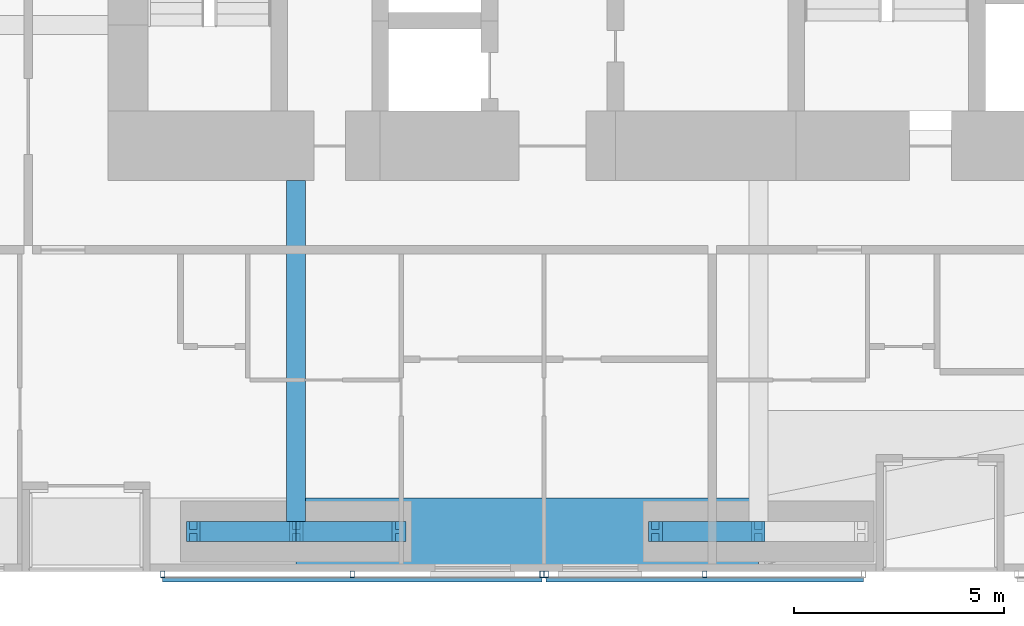
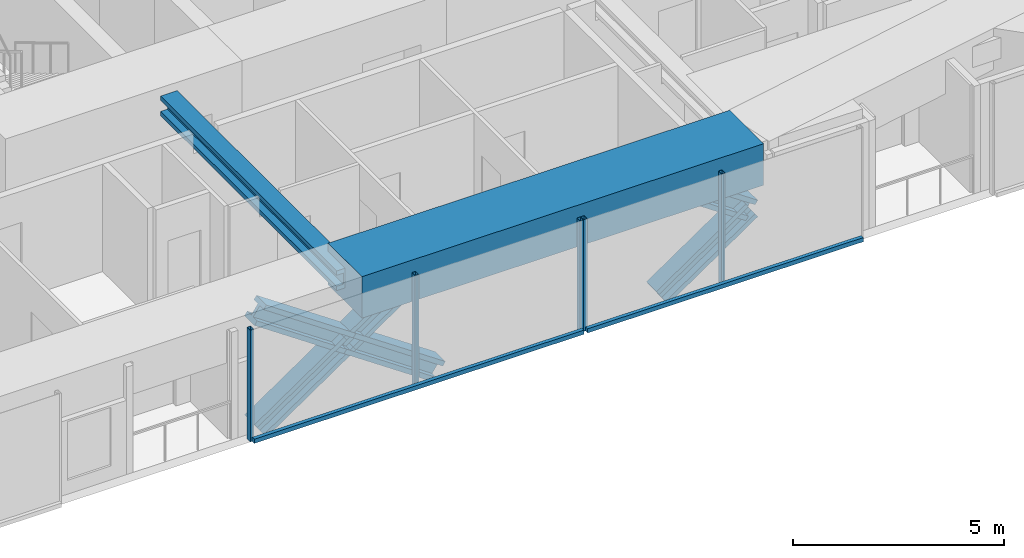
# One storey, part 4 of 22: 13 members, 2 beams, 2 elements without a shape of their own.
"""IFC4 building model written with IfcOpenShell, lengths in metres."""

from ifc_helpers import new_model, si_unit, direction, frame, origin, origin_2d, place, context, subcontext, project, spatial, rectangle, hollow_rectangle, i_section, extrude, material, material_profile, profile_set, type_object, element, aggregate, save


model = new_model("IFC4")

# Units and contexts
model_context = context("Model", 3, precision=1e-05, world=origin(), true_north=direction((0.0, 1.0)))
body_context = subcontext(model_context, "Body", "Model", "MODEL_VIEW")
ifc_project = project(units=[si_unit("LENGTHUNIT", "METRE"), si_unit("AREAUNIT", "SQUARE_METRE"), si_unit("VOLUMEUNIT", "CUBIC_METRE"), si_unit("PLANEANGLEUNIT", "RADIAN"), si_unit("MASSUNIT", "GRAM", prefix="KILO")], contexts=[model_context])

# Site, building, storey
site_placement = place(None, origin())
site = spatial("IfcSite", under=ifc_project, at=site_placement, CompositionType="ELEMENT")
building_placement = place(site_placement, origin())
building = spatial("IfcBuilding", under=site, at=building_placement, Name="Jalousie Tower", CompositionType="ELEMENT")
storey_placement = place(building_placement, frame((0.0, 0.0, 64.550048828125)))
storey = spatial("IfcBuildingStorey", under=building, at=storey_placement, Name="L17", CompositionType="ELEMENT", Elevation=64.550048828125)

# Beam
ifc_material_1 = material(Name="Steel ASTM A992 Grade 50", Category="steel")
ifc_material_profile_1 = material_profile(ifc_material_1, i_section(OverallWidth=0.45458984375, OverallDepth=0.569091796875, WebThickness=0.077880859375, FlangeThickness=0.124755859375, at=origin_2d()), Name="W14X730")
ifc_profile_set_1 = profile_set([ifc_material_profile_1], Name="Steel ASTM A992 Grade 50")
beam_type_1 = type_object("IfcBeamType", Name="LEAN COLLECTOR W14X730", PredefinedType="BEAM", material=ifc_profile_set_1)
beam_1_placement = place(storey_placement, frame((24.0, 0.949951171875, 2.825439453125), z_axis=(0.0, 1.0, 0.0), x_axis=(-1.0, 0.0, 0.0)))
element("IfcBeam", 1, at=beam_1_placement, inside=storey, type_object=beam_type_1, Name="Lean collector under L18", PredefinedType="BEAM", context=body_context, shape_type="SweptSolid", body=[
    extrude(i_section(OverallWidth=0.45458984375, OverallDepth=0.569091796875, WebThickness=0.077880859375, FlangeThickness=0.124755859375, at=origin_2d()), origin(), (0.0, 0.0, 1.0), 8.35009765625),
])

# Members
ifc_material_2 = material(Name="Steel ASTM A992 Grade 50", Category="steel")
ifc_material_profile_2 = material_profile(ifc_material_2, i_section(OverallWidth=0.472412109375, OverallDepth=0.5791015625, WebThickness=0.094970703125, FlangeThickness=0.1298828125, at=origin_2d()), Name="W14X808")
ifc_profile_set_2 = profile_set([ifc_material_profile_2], Name="Steel ASTM A992 Grade 50")
member_type_1 = type_object("IfcMemberType", Name="PERIMETER BRACE W14X808", PredefinedType="BRACE", material=ifc_profile_set_2)
for number, where, z_axis, x_axis, name in (
    (2, (21.550048828125, 0.949951171875, -0.60009765625), (0.825500916831, 0.0, 0.564400776321), (0.0, 1.0, 0.0), "Perimeter brace 03 L17 part 1"),
    (3, (24.0, 0.949951171875, 1.074951171875), (0.825500916831, 0.0, 0.564400776321), (0.0, 1.0, 0.0), "Perimeter brace 03 L17 part 2"),
    (4, (26.449951171875, 0.949951171875, -0.60009765625), (-0.825500916831, 0.0, 0.564400776321), (0.0, -1.0, 0.0), "Perimeter brace 03 L17 part 3"),
    (5, (24.0, 0.949951171875, 1.074951171875), (-0.825500916831, 0.0, 0.564400776321), (0.0, -1.0, 0.0), "Perimeter brace 03 L17 part 4"),
    (6, (32.550048828125, 0.949951171875, -0.60009765625), (0.825500916831, 0.0, 0.564400776321), (0.0, 1.0, 0.0), "Perimeter brace 04 L17 part 1"),
    (7, (35.0, 0.949951171875, 1.074951171875), (-0.825500916831, 0.0, 0.564400776321), (0.0, -1.0, 0.0), "Perimeter brace 04 L17 part 4"),
):
    element("IfcMember", number, at=place(storey_placement, frame(where, z_axis=z_axis, x_axis=x_axis)), inside=storey, type_object=member_type_1, Name=name, PredefinedType="BRACE", context=body_context, shape_type="SweptSolid", body=[
        extrude(i_section(OverallWidth=0.472412109375, OverallDepth=0.5791015625, WebThickness=0.094970703125, FlangeThickness=0.1298828125, at=origin_2d()), origin(), (0.0, 0.0, 1.0), 2.9677734375),
    ])

# Beam
ifc_material_3 = material(Name="Concrete f'c 40 MPa", Category="concrete")
ifc_material_profile_3 = material_profile(ifc_material_3, rectangle(XDim=1.60009765625, YDim=1.199951171875, at=origin_2d()), Name="RC 1600x1200")
ifc_profile_set_3 = profile_set([ifc_material_profile_3], Name="Concrete f'c 40 MPa")
beam_type_2 = type_object("IfcBeamType", Name="RC BEAM 1600x1200", PredefinedType="BEAM", material=ifc_profile_set_3)
beam_2_placement = place(storey_placement, frame((24.0, 0.949951171875, 2.75), z_axis=(1.0, 0.0, 0.0), x_axis=(0.0, 1.0, 0.0)))
element("IfcBeam", 8, at=beam_2_placement, inside=storey, type_object=beam_type_2, Name="Edge band beam 03-04 under L18", PredefinedType="BEAM", context=body_context, shape_type="SweptSolid", body=[
    extrude(rectangle(XDim=1.60009765625, YDim=1.199951171875, at=origin_2d()), origin(), (0.0, 0.0, 1.0), 11.0),
])

# Curtain wall, members
ifc_material_4 = material(Name="Perforated aluminium sheet", Category="aluminium")
curtain_wall_type = type_object("IfcCurtainWallType", Name="SOLAR SCREEN SS-1", PredefinedType="USERDEFINED", material=ifc_material_4)
curtain_wall_1_placement = place(storey_placement, origin())
curtain_wall_1 = element("IfcCurtainWall", 9, at=curtain_wall_1_placement, inside=storey, type_object=curtain_wall_type, Name="Solar screen L17", ObjectType="SOLAR SCREEN SS-1", PredefinedType="USERDEFINED")
ifc_material_5 = material(Name="Steel ASTM A500 Grade C", Category="steel")
ifc_material_profile_4 = material_profile(ifc_material_5, hollow_rectangle(XDim=0.1015625, YDim=0.15234375, WallThickness=0.00634765625, at=origin_2d()), Name="HSS6X4X1/4")
ifc_profile_set_4 = profile_set([ifc_material_profile_4], Name="Steel ASTM A500 Grade C")
member_type_2 = type_object("IfcMemberType", Name="SOLAR SCREEN SS-1 MULLION", PredefinedType="MULLION", material=ifc_profile_set_4)
member_1_placement = place(storey_placement, frame((20.824951171875, -0.0712890625, -0.1201171875), z_axis=(0.0, 0.0, 1.0), x_axis=(1.0, 0.0, 0.0)))
member_1 = element("IfcMember", 10, at=member_1_placement, type_object=member_type_2, Name="SS1 post 1", PredefinedType="MULLION", context=body_context, shape_type="SweptSolid", body=[
    extrude(hollow_rectangle(XDim=0.1015625, YDim=0.15234375, WallThickness=0.00634765625, at=origin_2d()), origin(), (0.0, 0.0, 1.0), 3.22998046875),
])
member_2_placement = place(storey_placement, frame((25.33740234375, -0.0712890625, -0.1201171875), z_axis=(0.0, 0.0, 1.0), x_axis=(1.0, 0.0, 0.0)))
member_2 = element("IfcMember", 11, at=member_2_placement, type_object=member_type_2, Name="SS1 post 2", PredefinedType="MULLION", context=body_context, shape_type="SweptSolid", body=[
    extrude(hollow_rectangle(XDim=0.1015625, YDim=0.15234375, WallThickness=0.00634765625, at=origin_2d()), origin(), (0.0, 0.0, 1.0), 3.22998046875),
])
member_3_placement = place(storey_placement, frame((29.85009765625, -0.0712890625, -0.1201171875), z_axis=(0.0, 0.0, 1.0), x_axis=(1.0, 0.0, 0.0)))
member_3 = element("IfcMember", 12, at=member_3_placement, type_object=member_type_2, Name="SS1 post 3", PredefinedType="MULLION", context=body_context, shape_type="SweptSolid", body=[
    extrude(hollow_rectangle(XDim=0.1015625, YDim=0.15234375, WallThickness=0.00634765625, at=origin_2d()), origin(), (0.0, 0.0, 1.0), 3.22998046875),
])

curtain_wall_2_placement = place(storey_placement, origin())
curtain_wall_2 = element("IfcCurtainWall", 13, at=curtain_wall_2_placement, inside=storey, type_object=curtain_wall_type, Name="Solar screen L17", ObjectType="SOLAR SCREEN SS-1", PredefinedType="USERDEFINED")
member_4_placement = place(storey_placement, frame((29.949951171875, -0.0712890625, -0.1201171875), z_axis=(0.0, 0.0, 1.0), x_axis=(1.0, 0.0, 0.0)))
member_4 = element("IfcMember", 14, at=member_4_placement, type_object=member_type_2, Name="SS1 post 1", PredefinedType="MULLION", context=body_context, shape_type="SweptSolid", body=[
    extrude(hollow_rectangle(XDim=0.1015625, YDim=0.15234375, WallThickness=0.00634765625, at=origin_2d()), origin(), (0.0, 0.0, 1.0), 3.22998046875),
])
member_5_placement = place(storey_placement, frame((33.72509765625, -0.0712890625, -0.1201171875), z_axis=(0.0, 0.0, 1.0), x_axis=(1.0, 0.0, 0.0)))
member_5 = element("IfcMember", 15, at=member_5_placement, type_object=member_type_2, Name="SS1 post 2", PredefinedType="MULLION", context=body_context, shape_type="SweptSolid", body=[
    extrude(hollow_rectangle(XDim=0.1015625, YDim=0.15234375, WallThickness=0.00634765625, at=origin_2d()), origin(), (0.0, 0.0, 1.0), 3.22998046875),
])

# Member
ifc_material_6 = material(Name="Extruded aluminium screen rail", Category="aluminium")
ifc_material_profile_5 = material_profile(ifc_material_6, rectangle(XDim=0.1015625, YDim=0.1201171875, at=origin_2d()), Name="RAIL 102x120")
ifc_profile_set_5 = profile_set([ifc_material_profile_5], Name="Extruded aluminium screen rail")
member_type_3 = type_object("IfcMemberType", Name="SOLAR SCREEN SS-1 TRANSOM", PredefinedType="USERDEFINED", material=ifc_profile_set_5)
member_6_placement = place(storey_placement, frame((20.824951171875, -0.1982421875, -0.06005859375), z_axis=(1.0, 0.0, 0.0), x_axis=(0.0, 1.0, 0.0)))
member_6 = element("IfcMember", 16, at=member_6_placement, type_object=member_type_3, Name="SS1 rail", ObjectType="TRANSOM", PredefinedType="USERDEFINED", context=body_context, shape_type="SweptSolid", body=[
    extrude(rectangle(XDim=0.1015625, YDim=0.1201171875, at=origin_2d()), origin(), (0.0, 0.0, 1.0), 9.025146484375),
])

aggregate(curtain_wall_1, [member_1, member_2, member_3, member_6])

member_7_placement = place(storey_placement, frame((29.949951171875, -0.1982421875, -0.06005859375), z_axis=(1.0, 0.0, 0.0), x_axis=(0.0, 1.0, 0.0)))
member_7 = element("IfcMember", 17, at=member_7_placement, type_object=member_type_3, Name="SS1 rail", ObjectType="TRANSOM", PredefinedType="USERDEFINED", context=body_context, shape_type="SweptSolid", body=[
    extrude(rectangle(XDim=0.1015625, YDim=0.1201171875, at=origin_2d()), origin(), (0.0, 0.0, 1.0), 7.550048828125),
])

aggregate(curtain_wall_2, [member_4, member_5, member_7])

save(model, "model.ifc")
